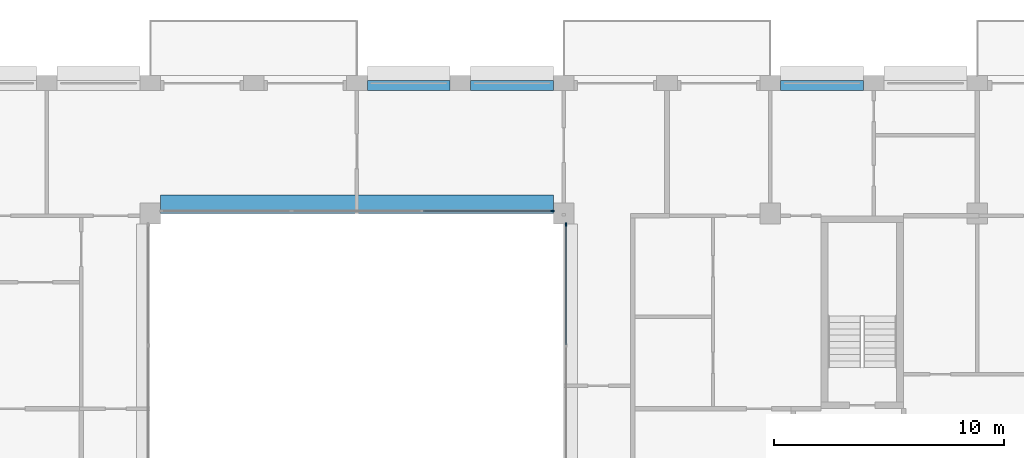
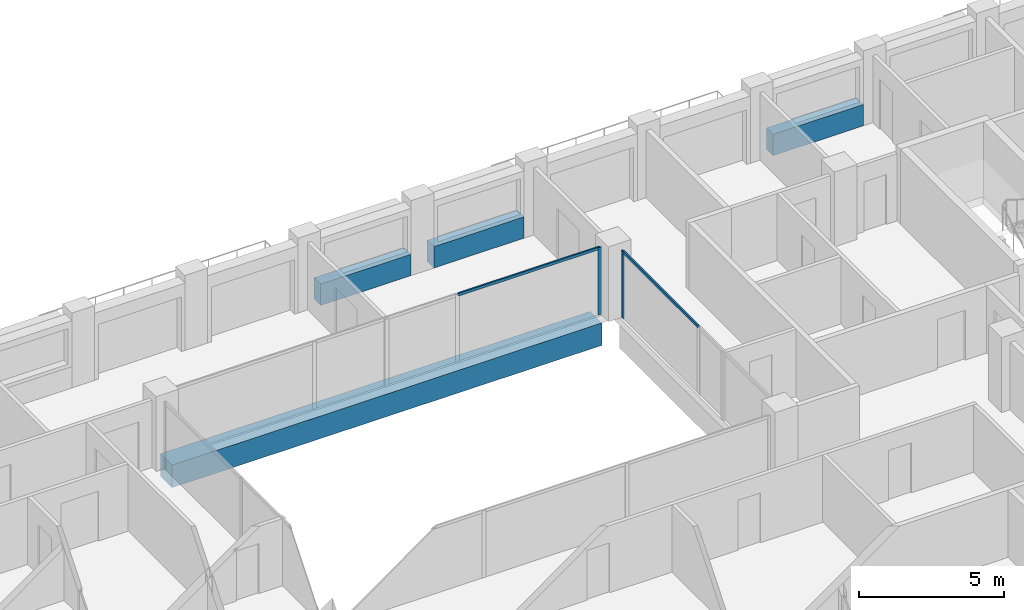
# One storey, part 6 of 16: 4 beams, 4 members, 2 elements without a shape of their own.
"""IFC4 building model written with IfcOpenShell, lengths in metres."""

from ifc_helpers import new_model, si_unit, direction, frame, origin, origin_2d, place, context, subcontext, project, spatial, rectangle, extrude, material, layer, layer_set, material_profile, profile_set, type_object, element, aggregate, save


model = new_model("IFC4")

# Units and contexts
model_context = context("Model", 3, precision=1e-05, world=origin(), true_north=direction((0.0, 1.0)))
body_context = subcontext(model_context, "Body", "Model", "MODEL_VIEW")
ifc_project = project(units=[si_unit("LENGTHUNIT", "METRE"), si_unit("AREAUNIT", "SQUARE_METRE"), si_unit("VOLUMEUNIT", "CUBIC_METRE"), si_unit("PLANEANGLEUNIT", "RADIAN"), si_unit("MASSUNIT", "GRAM", prefix="KILO")], contexts=[model_context])

# Site, building, storey
site_placement = place(None, origin())
site = spatial("IfcSite", under=ifc_project, at=site_placement, CompositionType="ELEMENT")
building_placement = place(site_placement, origin())
building = spatial("IfcBuilding", under=site, at=building_placement, Name="Brigalow Station Residences", CompositionType="ELEMENT")
storey_placement = place(building_placement, frame((0.0, 0.0, 198.0)))
storey = spatial("IfcBuildingStorey", under=building, at=storey_placement, Name="L56", CompositionType="ELEMENT", Elevation=198.0)

# Beam
ifc_material_1 = material(Name="Concrete C65", Category="concrete")
ifc_material_profile_1 = material_profile(ifc_material_1, rectangle(XDim=0.800048828125, YDim=0.949951171875, at=origin_2d()), Name="RC800x950")
ifc_profile_set_1 = profile_set([ifc_material_profile_1], Name="Concrete C65")
beam_type_1 = type_object("IfcBeamType", Name="ATRIUM EDGE GIRDER OVER 13.5 M SPAN 800x950 C65", PredefinedType="BEAM", material=ifc_profile_set_1)
beam_placement = place(storey_placement, frame((27.449951171875, 35.89990234375, -0.794921875), z_axis=(1.0, 0.0, 0.0), x_axis=(0.0, 1.0, 0.0)))
element("IfcBeam", 1, at=beam_placement, inside=storey, type_object=beam_type_1, Name="ATRIUM EDGE GIRDER D L56", PredefinedType="BEAM", context=body_context, shape_type="SweptSolid", body=[
    extrude(rectangle(XDim=0.800048828125, YDim=0.949951171875, at=origin_2d()), origin(), (0.0, 0.0, 1.0), 17.10009765625),
])

# Curtain wall, member
ifc_material_2 = material(Name="Aluminium", Category="aluminium")
ifc_layer = layer(ifc_material_2, 0.14990234375)
ifc_layer_set = layer_set([ifc_layer], Name="ATRIUM FIRE-RATED GLAZING CURTAIN WALL")
curtain_wall_type = type_object("IfcCurtainWallType", Name="ATRIUM FIRE-RATED GLAZING CURTAIN WALL", PredefinedType="NOTDEFINED", material=ifc_layer_set)
curtain_wall_1_placement = place(storey_placement, origin())
curtain_wall_1 = element("IfcCurtainWall", 2, at=curtain_wall_1_placement, inside=storey, type_object=curtain_wall_type, Name="L56/cw/atrium-E", PredefinedType="NOTDEFINED")
ifc_material_3 = material(Name="Aluminium", Category="aluminium")
ifc_material_profile_2 = material_profile(ifc_material_3, rectangle(XDim=0.06005859375, YDim=0.14990234375, at=origin_2d()), Name="ATRIUM FIRE-RATED GLAZING MULLION 60x150")
ifc_profile_set_2 = profile_set([ifc_material_profile_2], Name="Aluminium")
member_type_1 = type_object("IfcMemberType", Name="ATRIUM FIRE-RATED GLAZING MULLION 60x150", PredefinedType="MULLION", material=ifc_profile_set_2)
member_1_placement = place(storey_placement, frame((45.10009765625, 35.02001953125, 0.0), z_axis=(0.0, 0.0, 1.0), x_axis=(-1.0, 0.0, 0.0)))
member_1 = element("IfcMember", 3, at=member_1_placement, type_object=member_type_1, Name="L56/cw/atrium-E/M02", PredefinedType="MULLION", context=body_context, shape_type="SweptSolid", body=[
    extrude(rectangle(XDim=0.06005859375, YDim=0.14990234375, at=origin_2d()), origin(), (0.0, 0.0, 1.0), 2.830078125),
])

curtain_wall_2_placement = place(storey_placement, origin())
curtain_wall_2 = element("IfcCurtainWall", 4, at=curtain_wall_2_placement, inside=storey, type_object=curtain_wall_type, Name="L56/cw/atrium-N", PredefinedType="NOTDEFINED")
member_2_placement = place(storey_placement, frame((44.52001953125, 35.60009765625, 0.0), z_axis=(0.0, 0.0, 1.0), x_axis=(0.0, -1.0, 0.0)))
member_2 = element("IfcMember", 5, at=member_2_placement, type_object=member_type_1, Name="L56/cw/atrium-N/M00", PredefinedType="MULLION", context=body_context, shape_type="SweptSolid", body=[
    extrude(rectangle(XDim=0.06005859375, YDim=0.14990234375, at=origin_2d()), origin(), (0.0, 0.0, 1.0), 2.830078125),
])

# Member
ifc_material_4 = material(Name="Aluminium", Category="aluminium")
ifc_material_profile_3 = material_profile(ifc_material_4, rectangle(XDim=0.06005859375, YDim=0.1201171875, at=origin_2d()), Name="ATRIUM FIRE-RATED GLAZING TRANSOM 60x120")
ifc_profile_set_3 = profile_set([ifc_material_profile_3], Name="Aluminium")
member_type_2 = type_object("IfcMemberType", Name="ATRIUM FIRE-RATED GLAZING TRANSOM 60x120", PredefinedType="USERDEFINED", material=ifc_profile_set_3)
member_3_placement = place(storey_placement, frame((45.10009765625, 29.780029296875, 2.800048828125), z_axis=(0.0, 1.0, 0.0), x_axis=(-1.0, 0.0, 0.0)))
member_3 = element("IfcMember", 6, at=member_3_placement, type_object=member_type_2, Name="L56/cw/atrium-E/T01-00", ObjectType="TRANSOM", PredefinedType="USERDEFINED", context=body_context, shape_type="SweptSolid", body=[
    extrude(rectangle(XDim=0.06005859375, YDim=0.1201171875, at=origin_2d()), origin(), (0.0, 0.0, 1.0), 5.2099609375),
])

aggregate(curtain_wall_1, [member_1, member_3])

member_4_placement = place(storey_placement, frame((44.489990234375, 35.60009765625, 2.800048828125), z_axis=(-1.0, 0.0, 0.0), x_axis=(0.0, -1.0, 0.0)))
member_4 = element("IfcMember", 7, at=member_4_placement, type_object=member_type_2, Name="L56/cw/atrium-N/T00-00", ObjectType="TRANSOM", PredefinedType="USERDEFINED", context=body_context, shape_type="SweptSolid", body=[
    extrude(rectangle(XDim=0.06005859375, YDim=0.1201171875, at=origin_2d()), origin(), (0.0, 0.0, 1.0), 5.610107421875),
])

aggregate(curtain_wall_2, [member_2, member_4])

# Beams
ifc_material_5 = material(Name="Concrete C50", Category="concrete")
ifc_material_profile_4 = material_profile(ifc_material_5, rectangle(XDim=0.449951171875, YDim=0.89990234375, at=origin_2d()), Name="RC450x900")
ifc_profile_set_4 = profile_set([ifc_material_profile_4], Name="Concrete C50")
beam_type_2 = type_object("IfcBeamType", Name="SPANDREL BEAM 450x900 C50", PredefinedType="SPANDREL", material=ifc_profile_set_4)
for number, where, z_axis, x_axis, name in (
    (8, (58.050048828125, 41.074951171875, 0.449951171875), (-1.0, 0.0, 0.0), (0.0, -1.0, 0.0), "L56/spandrel/W-L56-22"),
    (9, (44.550048828125, 41.074951171875, 0.449951171875), (-1.0, 0.0, 0.0), (0.0, -1.0, 0.0), "L56/spandrel/W-L56-25"),
    (10, (40.050048828125, 41.074951171875, 0.449951171875), (-1.0, 0.0, 0.0), (0.0, -1.0, 0.0), "L56/spandrel/W-L56-26"),
):
    element("IfcBeam", number, at=place(storey_placement, frame(where, z_axis=z_axis, x_axis=x_axis)), inside=storey, type_object=beam_type_2, Name=name, PredefinedType="SPANDREL", context=body_context, shape_type="SweptSolid", body=[
        extrude(rectangle(XDim=0.449951171875, YDim=0.89990234375, at=origin_2d()), origin(), (0.0, 0.0, 1.0), 3.60009765625),
    ])

save(model, "model.ifc")
